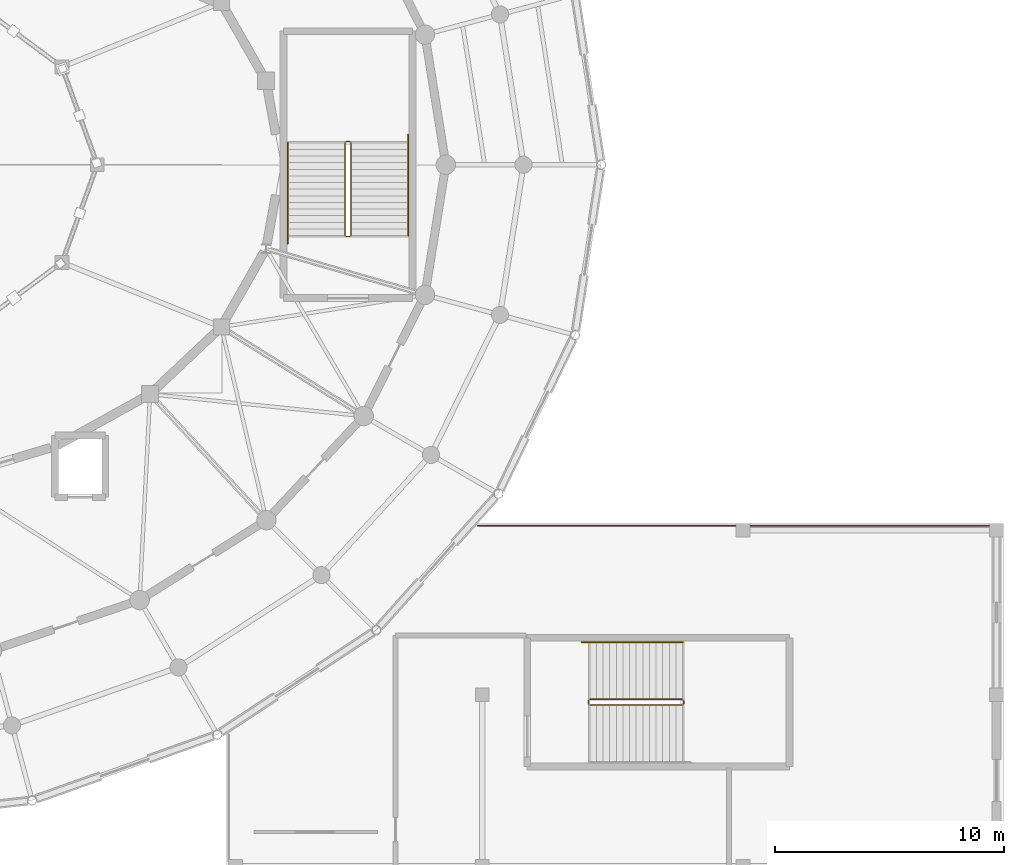
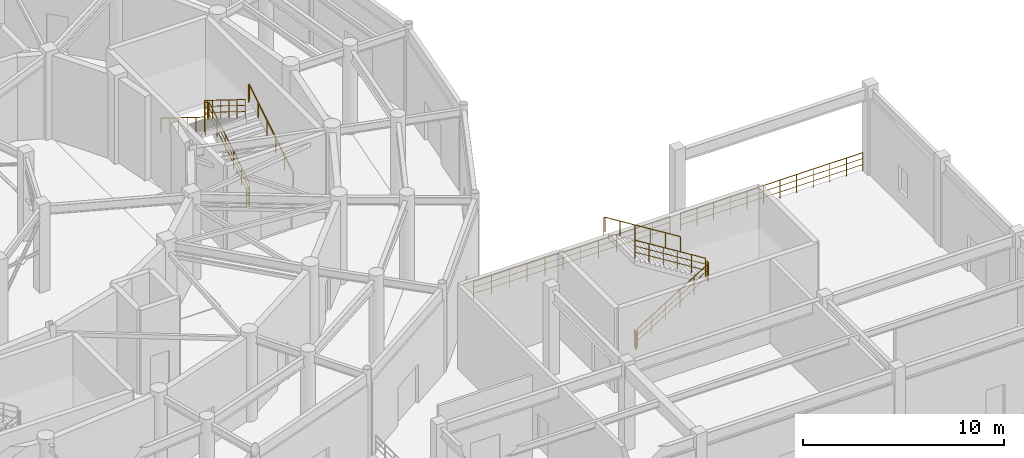
# One storey, part 91 of 93: 13 railings.
"""IFC4 building model written with IfcOpenShell, lengths in metres."""

from ifc_helpers import new_model, si_unit, direction, frame, origin, origin_2d, place, context, subcontext, project, spatial, circle, extrude, material, type_object, element, save


model = new_model("IFC4")

# Units and contexts
model_context = context("Model", 3, precision=1e-05, world=origin(), true_north=direction((0.0, 1.0)))
body_context = subcontext(model_context, "Body", "Model", "MODEL_VIEW")
ifc_project = project(units=[si_unit("LENGTHUNIT", "METRE"), si_unit("AREAUNIT", "SQUARE_METRE"), si_unit("VOLUMEUNIT", "CUBIC_METRE"), si_unit("PLANEANGLEUNIT", "RADIAN"), si_unit("MASSUNIT", "GRAM", prefix="KILO")], contexts=[model_context])

# Site, building, storey
site_placement = place(None, origin())
site = spatial("IfcSite", under=ifc_project, at=site_placement, CompositionType="ELEMENT")
building_placement = place(site_placement, origin())
building = spatial("IfcBuilding", under=site, at=building_placement, Name="Cinderbank Siding Concert Hall", CompositionType="ELEMENT")
storey_placement = place(building_placement, origin())
storey = spatial("IfcBuildingStorey", under=building, at=storey_placement, Name="L01", CompositionType="ELEMENT", Elevation=0.0)

# Railings
ifc_material = material(Name="Structural steel AS/NZS 3679.1 Grade 350 (340 MPa)", Category="steel")
railing_type_1 = type_object("IfcRailingType", Name="GD-01 Terrace & Perimeter Guardrail 1120mm", PredefinedType="GUARDRAIL", material=ifc_material)
railing_1_placement = place(storey_placement, frame((150.194091796875, 28.199951171875, 0.0)))
element("IfcRailing", 1, at=railing_1_placement, inside=storey, type_object=railing_type_1, Name="L01 Perimeter Guardrail #9", PredefinedType="GUARDRAIL", context=body_context, shape_type="SweptSolid", body=[
    extrude(circle(Radius=0.02392578125, at=origin_2d()), frame((0.0, 0.0, 1.09619140625), z_axis=(1.0, 0.0, 0.0), x_axis=(0.0, 1.0, 0.0)), (0.0, 0.0, 1.0), 11.306640625),
    extrude(circle(Radius=0.01611328125, at=origin_2d()), frame((0.0, 0.0, 0.36962890625), z_axis=(1.0, 0.0, 0.0), x_axis=(0.0, 1.0, 0.0)), (0.0, 0.0, 1.0), 11.306640625),
    extrude(circle(Radius=0.01611328125, at=origin_2d()), frame((0.0, 0.0, 0.7392578125), z_axis=(1.0, 0.0, 0.0), x_axis=(0.0, 1.0, 0.0)), (0.0, 0.0, 1.0), 11.306640625),
    extrude(circle(Radius=0.02099609375, at=origin_2d()), origin(), (0.0, 0.0, 1.0), 1.072021484375),
    extrude(circle(Radius=0.02099609375, at=origin_2d()), frame((1.02783203125, 0.0, 0.0)), (0.0, 0.0, 1.0), 1.072021484375),
    extrude(circle(Radius=0.02099609375, at=origin_2d()), frame((2.0556640625, 0.0, 0.0)), (0.0, 0.0, 1.0), 1.072021484375),
    extrude(circle(Radius=0.02099609375, at=origin_2d()), frame((3.083740234375, 0.0, 0.0)), (0.0, 0.0, 1.0), 1.072021484375),
    extrude(circle(Radius=0.02099609375, at=origin_2d()), frame((4.111572265625, 0.0, 0.0)), (0.0, 0.0, 1.0), 1.072021484375),
    extrude(circle(Radius=0.02099609375, at=origin_2d()), frame((5.139404296875, 0.0, 0.0)), (0.0, 0.0, 1.0), 1.072021484375),
    extrude(circle(Radius=0.02099609375, at=origin_2d()), frame((6.167236328125, 0.0, 0.0)), (0.0, 0.0, 1.0), 1.072021484375),
    extrude(circle(Radius=0.02099609375, at=origin_2d()), frame((7.195068359375, 0.0, 0.0)), (0.0, 0.0, 1.0), 1.072021484375),
    extrude(circle(Radius=0.02099609375, at=origin_2d()), frame((8.222900390625, 0.0, 0.0)), (0.0, 0.0, 1.0), 1.072021484375),
    extrude(circle(Radius=0.02099609375, at=origin_2d()), frame((9.2509765625, 0.0, 0.0)), (0.0, 0.0, 1.0), 1.072021484375),
    extrude(circle(Radius=0.02099609375, at=origin_2d()), frame((10.27880859375, 0.0, 0.0)), (0.0, 0.0, 1.0), 1.072021484375),
    extrude(circle(Radius=0.02099609375, at=origin_2d()), frame((11.306640625, 0.0, 0.0)), (0.0, 0.0, 1.0), 1.072021484375),
])
railing_2_placement = place(storey_placement, frame((162.099365234375, 28.199951171875, 0.0)))
element("IfcRailing", 2, at=railing_2_placement, inside=storey, type_object=railing_type_1, Name="L01 Perimeter Guardrail #10", PredefinedType="GUARDRAIL", context=body_context, shape_type="SweptSolid", body=[
    extrude(circle(Radius=0.02392578125, at=origin_2d()), frame((0.0, 0.0, 1.09619140625), z_axis=(1.0, 0.0, 0.0), x_axis=(0.0, 1.0, 0.0)), (0.0, 0.0, 1.0), 10.501220703125),
    extrude(circle(Radius=0.01611328125, at=origin_2d()), frame((0.0, 0.0, 0.36962890625), z_axis=(1.0, 0.0, 0.0), x_axis=(0.0, 1.0, 0.0)), (0.0, 0.0, 1.0), 10.501220703125),
    extrude(circle(Radius=0.01611328125, at=origin_2d()), frame((0.0, 0.0, 0.7392578125), z_axis=(1.0, 0.0, 0.0), x_axis=(0.0, 1.0, 0.0)), (0.0, 0.0, 1.0), 10.501220703125),
    extrude(circle(Radius=0.02099609375, at=origin_2d()), origin(), (0.0, 0.0, 1.0), 1.072021484375),
    extrude(circle(Radius=0.02099609375, at=origin_2d()), frame((0.95458984375, 0.0, 0.0)), (0.0, 0.0, 1.0), 1.072021484375),
    extrude(circle(Radius=0.02099609375, at=origin_2d()), frame((1.909423828125, 0.0, 0.0)), (0.0, 0.0, 1.0), 1.072021484375),
    extrude(circle(Radius=0.02099609375, at=origin_2d()), frame((2.864013671875, 0.0, 0.0)), (0.0, 0.0, 1.0), 1.072021484375),
    extrude(circle(Radius=0.02099609375, at=origin_2d()), frame((3.818603515625, 0.0, 0.0)), (0.0, 0.0, 1.0), 1.072021484375),
    extrude(circle(Radius=0.02099609375, at=origin_2d()), frame((4.773193359375, 0.0, 0.0)), (0.0, 0.0, 1.0), 1.072021484375),
    extrude(circle(Radius=0.02099609375, at=origin_2d()), frame((5.72802734375, 0.0, 0.0)), (0.0, 0.0, 1.0), 1.072021484375),
    extrude(circle(Radius=0.02099609375, at=origin_2d()), frame((6.6826171875, 0.0, 0.0)), (0.0, 0.0, 1.0), 1.072021484375),
    extrude(circle(Radius=0.02099609375, at=origin_2d()), frame((7.63720703125, 0.0, 0.0)), (0.0, 0.0, 1.0), 1.072021484375),
    extrude(circle(Radius=0.02099609375, at=origin_2d()), frame((8.591796875, 0.0, 0.0)), (0.0, 0.0, 1.0), 1.072021484375),
    extrude(circle(Radius=0.02099609375, at=origin_2d()), frame((9.546630859375, 0.0, 0.0)), (0.0, 0.0, 1.0), 1.072021484375),
    extrude(circle(Radius=0.02099609375, at=origin_2d()), frame((10.501220703125, 0.0, 0.0)), (0.0, 0.0, 1.0), 1.072021484375),
])
railing_type_2 = type_object("IfcRailingType", Name="STG-01 Stair Well Guardrail 1120mm", PredefinedType="GUARDRAIL", material=ifc_material)
railing_3_placement = place(storey_placement, frame((144.64990234375, 40.89990234375, 0.179931640625)))
element("IfcRailing", 3, at=railing_3_placement, inside=storey, type_object=railing_type_2, Name="L01 ST-03 stair guard 1", PredefinedType="GUARDRAIL", context=body_context, shape_type="SweptSolid", body=[
    extrude(circle(Radius=0.02392578125, at=origin_2d()), frame((0.0, 0.0, 1.09619140625), z_axis=(0.0, 0.849641744969, 0.527360318194), x_axis=(-1.0, 0.0, 0.0)), (0.0, 0.0, 1.0), 4.778564453125),
    extrude(circle(Radius=0.01611328125, at=origin_2d()), frame((0.0, 0.0, 0.36962890625), z_axis=(0.0, 0.849641744969, 0.527360318194), x_axis=(-1.0, 0.0, 0.0)), (0.0, 0.0, 1.0), 4.778564453125),
    extrude(circle(Radius=0.01611328125, at=origin_2d()), frame((0.0, 0.0, 0.7392578125), z_axis=(0.0, 0.849641744969, 0.527360318194), x_axis=(-1.0, 0.0, 0.0)), (0.0, 0.0, 1.0), 4.778564453125),
    extrude(circle(Radius=0.02099609375, at=origin_2d()), origin(), (0.0, 0.0, 1.0), 1.072021484375),
    extrude(circle(Radius=0.02099609375, at=origin_2d()), frame((0.0, 0.81201171875, 0.50390625)), (0.0, 0.0, 1.0), 1.072021484375),
    extrude(circle(Radius=0.02099609375, at=origin_2d()), frame((0.0, 1.6240234375, 1.008056640625)), (0.0, 0.0, 1.0), 1.072021484375),
    extrude(circle(Radius=0.02099609375, at=origin_2d()), frame((0.0, 2.43603515625, 1.511962890625)), (0.0, 0.0, 1.0), 1.072021484375),
    extrude(circle(Radius=0.02099609375, at=origin_2d()), frame((0.0, 3.248046875, 2.01611328125)), (0.0, 0.0, 1.0), 1.072021484375),
    extrude(circle(Radius=0.02099609375, at=origin_2d()), frame((0.0, 4.06005859375, 2.52001953125)), (0.0, 0.0, 1.0), 1.072021484375),
])
railing_4_placement = place(storey_placement, frame((144.60009765625, 45.010009765625, 2.699951171875)))
element("IfcRailing", 4, at=railing_4_placement, inside=storey, type_object=railing_type_2, Name="L01 ST-03 stair guard 2", PredefinedType="GUARDRAIL", context=body_context, shape_type="SweptSolid", body=[
    extrude(circle(Radius=0.02392578125, at=origin_2d()), frame((0.0, 0.0, 1.09619140625), z_axis=(-1.0, 0.0, 0.0), x_axis=(0.0, -1.0, 0.0)), (0.0, 0.0, 1.0), 0.16015625),
    extrude(circle(Radius=0.01611328125, at=origin_2d()), frame((0.0, 0.0, 0.36962890625), z_axis=(-1.0, 0.0, 0.0), x_axis=(0.0, -1.0, 0.0)), (0.0, 0.0, 1.0), 0.16015625),
    extrude(circle(Radius=0.01611328125, at=origin_2d()), frame((0.0, 0.0, 0.7392578125), z_axis=(-1.0, 0.0, 0.0), x_axis=(0.0, -1.0, 0.0)), (0.0, 0.0, 1.0), 0.16015625),
    extrude(circle(Radius=0.02099609375, at=origin_2d()), origin(), (0.0, 0.0, 1.0), 1.072021484375),
    extrude(circle(Radius=0.02099609375, at=origin_2d()), frame((-0.16015625, 0.0, 0.0)), (0.0, 0.0, 1.0), 1.072021484375),
])
railing_5_placement = place(storey_placement, frame((144.389892578125, 44.9599609375, 2.8798828125)))
element("IfcRailing", 5, at=railing_5_placement, inside=storey, type_object=railing_type_2, Name="L01 ST-03 stair guard 3", PredefinedType="GUARDRAIL", context=body_context, shape_type="SweptSolid", body=[
    extrude(circle(Radius=0.02392578125, at=origin_2d()), frame((0.0, 0.0, 1.09619140625), z_axis=(0.0, -0.849641744969, 0.527360318194), x_axis=(1.0, 0.0, 0.0)), (0.0, 0.0, 1.0), 4.778564453125),
    extrude(circle(Radius=0.01611328125, at=origin_2d()), frame((0.0, 0.0, 0.36962890625), z_axis=(0.0, -0.849641744969, 0.527360318194), x_axis=(1.0, 0.0, 0.0)), (0.0, 0.0, 1.0), 4.778564453125),
    extrude(circle(Radius=0.01611328125, at=origin_2d()), frame((0.0, 0.0, 0.7392578125), z_axis=(0.0, -0.849641744969, 0.527360318194), x_axis=(1.0, 0.0, 0.0)), (0.0, 0.0, 1.0), 4.778564453125),
    extrude(circle(Radius=0.02099609375, at=origin_2d()), origin(), (0.0, 0.0, 1.0), 1.072021484375),
    extrude(circle(Radius=0.02099609375, at=origin_2d()), frame((0.0, -0.81201171875, 0.50390625)), (0.0, 0.0, 1.0), 1.072021484375),
    extrude(circle(Radius=0.02099609375, at=origin_2d()), frame((0.0, -1.6240234375, 1.008056640625)), (0.0, 0.0, 1.0), 1.072021484375),
    extrude(circle(Radius=0.02099609375, at=origin_2d()), frame((0.0, -2.43603515625, 1.511962890625)), (0.0, 0.0, 1.0), 1.072021484375),
    extrude(circle(Radius=0.02099609375, at=origin_2d()), frame((0.0, -3.248046875, 2.01611328125)), (0.0, 0.0, 1.0), 1.072021484375),
    extrude(circle(Radius=0.02099609375, at=origin_2d()), frame((0.0, -4.06005859375, 2.52001953125)), (0.0, 0.0, 1.0), 1.072021484375),
])
railing_6_placement = place(storey_placement, frame((144.60009765625, 40.85009765625, 0.0)))
element("IfcRailing", 6, at=railing_6_placement, inside=storey, type_object=railing_type_2, Name="L01 ST-03 stair guard 4", PredefinedType="GUARDRAIL", context=body_context, shape_type="SweptSolid", body=[
    extrude(circle(Radius=0.02392578125, at=origin_2d()), frame((0.0, 0.0, 1.09619140625), z_axis=(-1.0, 0.0, 0.0), x_axis=(0.0, -1.0, 0.0)), (0.0, 0.0, 1.0), 0.16015625),
    extrude(circle(Radius=0.01611328125, at=origin_2d()), frame((0.0, 0.0, 0.36962890625), z_axis=(-1.0, 0.0, 0.0), x_axis=(0.0, -1.0, 0.0)), (0.0, 0.0, 1.0), 0.16015625),
    extrude(circle(Radius=0.01611328125, at=origin_2d()), frame((0.0, 0.0, 0.7392578125), z_axis=(-1.0, 0.0, 0.0), x_axis=(0.0, -1.0, 0.0)), (0.0, 0.0, 1.0), 0.16015625),
    extrude(circle(Radius=0.02099609375, at=origin_2d()), origin(), (0.0, 0.0, 1.0), 1.072021484375),
    extrude(circle(Radius=0.02099609375, at=origin_2d()), frame((-0.16015625, 0.0, 0.0)), (0.0, 0.0, 1.0), 1.072021484375),
])
railing_7_placement = place(storey_placement, frame((155.10009765625, 20.35009765625, 0.179931640625)))
element("IfcRailing", 7, at=railing_7_placement, inside=storey, type_object=railing_type_2, Name="L01 ST-10 stair guard 1", PredefinedType="GUARDRAIL", context=body_context, shape_type="SweptSolid", body=[
    extrude(circle(Radius=0.02392578125, at=origin_2d()), frame((0.0, 0.0, 1.09619140625), z_axis=(0.849627535208, 0.0, 0.527383211162), x_axis=(0.0, 1.0, 0.0)), (0.0, 0.0, 1.0), 4.7783203125),
    extrude(circle(Radius=0.01611328125, at=origin_2d()), frame((0.0, 0.0, 0.36962890625), z_axis=(0.849627535208, 0.0, 0.527383211162), x_axis=(0.0, 1.0, 0.0)), (0.0, 0.0, 1.0), 4.7783203125),
    extrude(circle(Radius=0.01611328125, at=origin_2d()), frame((0.0, 0.0, 0.7392578125), z_axis=(0.849627535208, 0.0, 0.527383211162), x_axis=(0.0, 1.0, 0.0)), (0.0, 0.0, 1.0), 4.7783203125),
    extrude(circle(Radius=0.02099609375, at=origin_2d()), origin(), (0.0, 0.0, 1.0), 1.072021484375),
    extrude(circle(Radius=0.02099609375, at=origin_2d()), frame((0.81201171875, 0.0, 0.50390625)), (0.0, 0.0, 1.0), 1.072021484375),
    extrude(circle(Radius=0.02099609375, at=origin_2d()), frame((1.6240234375, 0.0, 1.008056640625)), (0.0, 0.0, 1.0), 1.072021484375),
    extrude(circle(Radius=0.02099609375, at=origin_2d()), frame((2.435791015625, 0.0, 1.511962890625)), (0.0, 0.0, 1.0), 1.072021484375),
    extrude(circle(Radius=0.02099609375, at=origin_2d()), frame((3.247802734375, 0.0, 2.01611328125)), (0.0, 0.0, 1.0), 1.072021484375),
    extrude(circle(Radius=0.02099609375, at=origin_2d()), frame((4.059814453125, 0.0, 2.52001953125)), (0.0, 0.0, 1.0), 1.072021484375),
])
railing_8_placement = place(storey_placement, frame((159.2099609375, 20.39990234375, 2.699951171875)))
element("IfcRailing", 8, at=railing_8_placement, inside=storey, type_object=railing_type_2, Name="L01 ST-10 stair guard 2", PredefinedType="GUARDRAIL", context=body_context, shape_type="SweptSolid", body=[
    extrude(circle(Radius=0.02392578125, at=origin_2d()), frame((0.0, 0.0, 1.09619140625), z_axis=(0.0, 1.0, 0.0), x_axis=(-1.0, 0.0, 0.0)), (0.0, 0.0, 1.0), 0.16015625),
    extrude(circle(Radius=0.01611328125, at=origin_2d()), frame((0.0, 0.0, 0.36962890625), z_axis=(0.0, 1.0, 0.0), x_axis=(-1.0, 0.0, 0.0)), (0.0, 0.0, 1.0), 0.16015625),
    extrude(circle(Radius=0.01611328125, at=origin_2d()), frame((0.0, 0.0, 0.7392578125), z_axis=(0.0, 1.0, 0.0), x_axis=(-1.0, 0.0, 0.0)), (0.0, 0.0, 1.0), 0.16015625),
    extrude(circle(Radius=0.02099609375, at=origin_2d()), origin(), (0.0, 0.0, 1.0), 1.072021484375),
    extrude(circle(Radius=0.02099609375, at=origin_2d()), frame((0.0, 0.16015625, 0.0)), (0.0, 0.0, 1.0), 1.072021484375),
])
railing_9_placement = place(storey_placement, frame((159.159912109375, 20.610107421875, 2.8798828125)))
element("IfcRailing", 9, at=railing_9_placement, inside=storey, type_object=railing_type_2, Name="L01 ST-10 stair guard 3", PredefinedType="GUARDRAIL", context=body_context, shape_type="SweptSolid", body=[
    extrude(circle(Radius=0.02392578125, at=origin_2d()), frame((0.0, 0.0, 1.09619140625), z_axis=(-0.849627535208, 0.0, 0.527383211162), x_axis=(0.0, -1.0, 0.0)), (0.0, 0.0, 1.0), 4.7783203125),
    extrude(circle(Radius=0.01611328125, at=origin_2d()), frame((0.0, 0.0, 0.36962890625), z_axis=(-0.849627535208, 0.0, 0.527383211162), x_axis=(0.0, -1.0, 0.0)), (0.0, 0.0, 1.0), 4.7783203125),
    extrude(circle(Radius=0.01611328125, at=origin_2d()), frame((0.0, 0.0, 0.7392578125), z_axis=(-0.849627535208, 0.0, 0.527383211162), x_axis=(0.0, -1.0, 0.0)), (0.0, 0.0, 1.0), 4.7783203125),
    extrude(circle(Radius=0.02099609375, at=origin_2d()), origin(), (0.0, 0.0, 1.0), 1.072021484375),
    extrude(circle(Radius=0.02099609375, at=origin_2d()), frame((-0.81201171875, 0.0, 0.50390625)), (0.0, 0.0, 1.0), 1.072021484375),
    extrude(circle(Radius=0.02099609375, at=origin_2d()), frame((-1.6240234375, 0.0, 1.008056640625)), (0.0, 0.0, 1.0), 1.072021484375),
    extrude(circle(Radius=0.02099609375, at=origin_2d()), frame((-2.435791015625, 0.0, 1.511962890625)), (0.0, 0.0, 1.0), 1.072021484375),
    extrude(circle(Radius=0.02099609375, at=origin_2d()), frame((-3.247802734375, 0.0, 2.01611328125)), (0.0, 0.0, 1.0), 1.072021484375),
    extrude(circle(Radius=0.02099609375, at=origin_2d()), frame((-4.059814453125, 0.0, 2.52001953125)), (0.0, 0.0, 1.0), 1.072021484375),
])
railing_10_placement = place(storey_placement, frame((155.050048828125, 20.39990234375, 0.0)))
element("IfcRailing", 10, at=railing_10_placement, inside=storey, type_object=railing_type_2, Name="L01 ST-10 stair guard 4", PredefinedType="GUARDRAIL", context=body_context, shape_type="SweptSolid", body=[
    extrude(circle(Radius=0.02392578125, at=origin_2d()), frame((0.0, 0.0, 1.09619140625), z_axis=(0.0, 1.0, 0.0), x_axis=(-1.0, 0.0, 0.0)), (0.0, 0.0, 1.0), 0.16015625),
    extrude(circle(Radius=0.01611328125, at=origin_2d()), frame((0.0, 0.0, 0.36962890625), z_axis=(0.0, 1.0, 0.0), x_axis=(-1.0, 0.0, 0.0)), (0.0, 0.0, 1.0), 0.16015625),
    extrude(circle(Radius=0.01611328125, at=origin_2d()), frame((0.0, 0.0, 0.7392578125), z_axis=(0.0, 1.0, 0.0), x_axis=(-1.0, 0.0, 0.0)), (0.0, 0.0, 1.0), 0.16015625),
    extrude(circle(Radius=0.02099609375, at=origin_2d()), origin(), (0.0, 0.0, 1.0), 1.072021484375),
    extrude(circle(Radius=0.02099609375, at=origin_2d()), frame((0.0, 0.16015625, 0.0)), (0.0, 0.0, 1.0), 1.072021484375),
])
railing_type_3 = type_object("IfcRailingType", Name="STH-01 Stair Pitch Handrail 920mm", PredefinedType="HANDRAIL", material=ifc_material)
railing_11_placement = place(storey_placement, frame((147.14990234375, 40.89990234375, 0.179931640625)))
element("IfcRailing", 11, at=railing_11_placement, inside=storey, type_object=railing_type_3, Name="L01 ST-03 stair handrail 1", PredefinedType="HANDRAIL", context=body_context, shape_type="SweptSolid", body=[
    extrude(circle(Radius=0.02392578125, at=origin_2d()), frame((0.0, 0.0, 0.89599609375), z_axis=(0.0, 0.849649743971, 0.527347430608), x_axis=(-1.0, 0.0, 0.0)), (0.0, 0.0, 1.0), 5.119873046875),
    extrude(circle(Radius=0.02392578125, at=origin_2d()), frame((0.0, 4.35009765625, 3.595703125), z_axis=(0.0, 1.0, 0.0), x_axis=(-1.0, 0.0, 0.0)), (0.0, 0.0, 1.0), 0.06005859375),
    extrude(circle(Radius=0.02099609375, at=origin_2d()), origin(), (0.0, 0.0, 1.0), 0.871826171875),
    extrude(circle(Radius=0.02099609375, at=origin_2d()), frame((0.0, 0.8701171875, 0.5400390625)), (0.0, 0.0, 1.0), 0.871826171875),
    extrude(circle(Radius=0.02099609375, at=origin_2d()), frame((0.0, 1.739990234375, 1.080078125)), (0.0, 0.0, 1.0), 0.871826171875),
    extrude(circle(Radius=0.02099609375, at=origin_2d()), frame((0.0, 2.610107421875, 1.619873046875)), (0.0, 0.0, 1.0), 0.871826171875),
    extrude(circle(Radius=0.02099609375, at=origin_2d()), frame((0.0, 3.47998046875, 2.159912109375)), (0.0, 0.0, 1.0), 0.871826171875),
    extrude(circle(Radius=0.02099609375, at=origin_2d()), frame((0.0, 4.35009765625, 2.699951171875)), (0.0, 0.0, 1.0), 0.871826171875),
    extrude(circle(Radius=0.02099609375, at=origin_2d()), frame((0.0, 4.41015625, 2.52001953125)), (0.0, 0.0, 1.0), 1.0517578125),
])
railing_12_placement = place(storey_placement, frame((141.889892578125, 44.9599609375, 2.8798828125)))
element("IfcRailing", 12, at=railing_12_placement, inside=storey, type_object=railing_type_3, Name="L01 ST-03 stair handrail 2", PredefinedType="HANDRAIL", context=body_context, shape_type="SweptSolid", body=[
    extrude(circle(Radius=0.02392578125, at=origin_2d()), frame((0.0, 0.0, 0.89599609375), z_axis=(0.0, -0.849615114927, 0.52740322002), x_axis=(1.0, 0.0, 0.0)), (0.0, 0.0, 1.0), 5.119873046875),
    extrude(circle(Radius=0.02392578125, at=origin_2d()), frame((0.0, -4.349853515625, 3.59619140625), z_axis=(0.0, -1.0, 0.0), x_axis=(1.0, 0.0, 0.0)), (0.0, 0.0, 1.0), 0.06005859375),
    extrude(circle(Radius=0.02099609375, at=origin_2d()), origin(), (0.0, 0.0, 1.0), 0.871826171875),
    extrude(circle(Radius=0.02099609375, at=origin_2d()), frame((0.0, -0.869873046875, 0.5400390625)), (0.0, 0.0, 1.0), 0.871826171875),
    extrude(circle(Radius=0.02099609375, at=origin_2d()), frame((0.0, -1.739990234375, 1.080078125)), (0.0, 0.0, 1.0), 0.871826171875),
    extrude(circle(Radius=0.02099609375, at=origin_2d()), frame((0.0, -2.60986328125, 1.6201171875)), (0.0, 0.0, 1.0), 0.871826171875),
    extrude(circle(Radius=0.02099609375, at=origin_2d()), frame((0.0, -3.47998046875, 2.16015625)), (0.0, 0.0, 1.0), 0.871826171875),
    extrude(circle(Radius=0.02099609375, at=origin_2d()), frame((0.0, -4.349853515625, 2.7001953125)), (0.0, 0.0, 1.0), 0.871826171875),
    extrude(circle(Radius=0.02099609375, at=origin_2d()), frame((0.0, -4.409912109375, 2.520263671875)), (0.0, 0.0, 1.0), 1.0517578125),
])
railing_13_placement = place(storey_placement, frame((159.159912109375, 23.110107421875, 2.8798828125)))
element("IfcRailing", 13, at=railing_13_placement, inside=storey, type_object=railing_type_3, Name="L01 ST-10 stair handrail 2", PredefinedType="HANDRAIL", context=body_context, shape_type="SweptSolid", body=[
    extrude(circle(Radius=0.02392578125, at=origin_2d()), frame((0.0, 0.0, 0.89599609375), z_axis=(-0.849615114927, 0.0, 0.52740322002), x_axis=(0.0, -1.0, 0.0)), (0.0, 0.0, 1.0), 5.119873046875),
    extrude(circle(Radius=0.02392578125, at=origin_2d()), frame((-4.349853515625, 0.0, 3.59619140625), z_axis=(-1.0, 0.0, 0.0), x_axis=(0.0, -1.0, 0.0)), (0.0, 0.0, 1.0), 0.06005859375),
    extrude(circle(Radius=0.02099609375, at=origin_2d()), origin(), (0.0, 0.0, 1.0), 0.871826171875),
    extrude(circle(Radius=0.02099609375, at=origin_2d()), frame((-0.869873046875, 0.0, 0.5400390625)), (0.0, 0.0, 1.0), 0.871826171875),
    extrude(circle(Radius=0.02099609375, at=origin_2d()), frame((-1.739990234375, 0.0, 1.080078125)), (0.0, 0.0, 1.0), 0.871826171875),
    extrude(circle(Radius=0.02099609375, at=origin_2d()), frame((-2.60986328125, 0.0, 1.6201171875)), (0.0, 0.0, 1.0), 0.871826171875),
    extrude(circle(Radius=0.02099609375, at=origin_2d()), frame((-3.47998046875, 0.0, 2.16015625)), (0.0, 0.0, 1.0), 0.871826171875),
    extrude(circle(Radius=0.02099609375, at=origin_2d()), frame((-4.349853515625, 0.0, 2.7001953125)), (0.0, 0.0, 1.0), 0.871826171875),
    extrude(circle(Radius=0.02099609375, at=origin_2d()), frame((-4.409912109375, 0.0, 2.520263671875)), (0.0, 0.0, 1.0), 1.0517578125),
])

save(model, "model.ifc")
